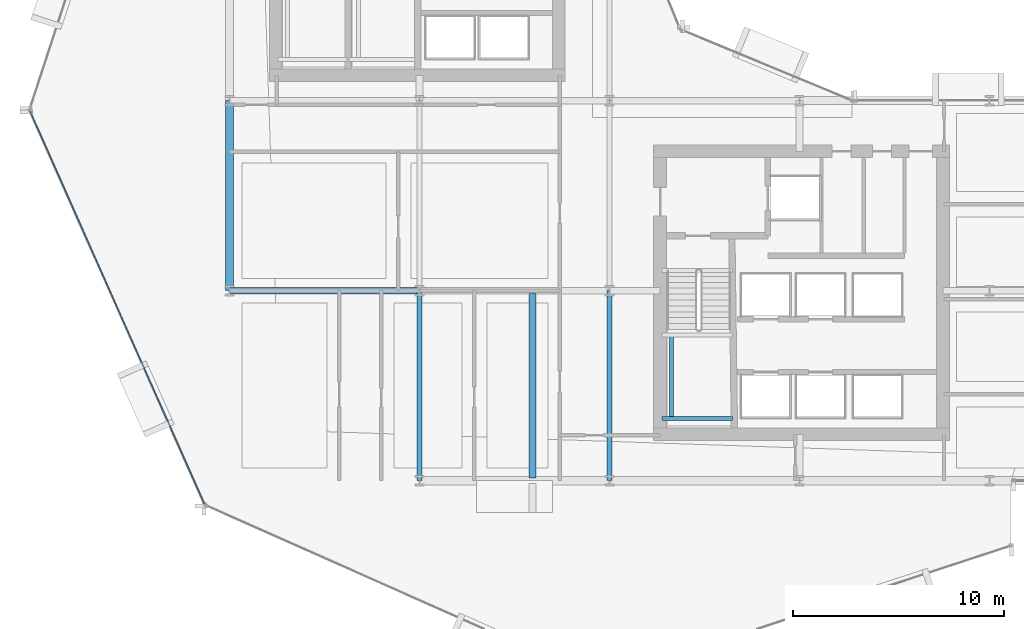
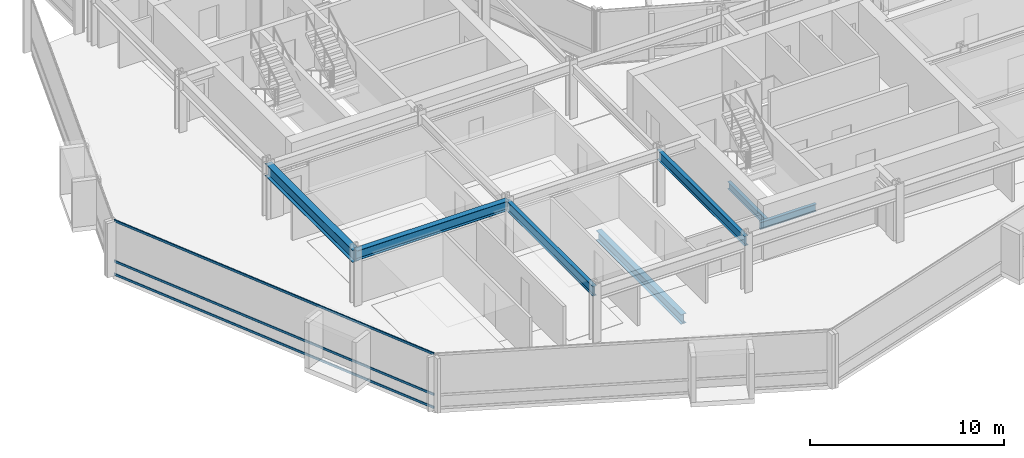
# One storey, part 5 of 34: 7 beams, 3 members, 1 element without a shape of its own.
"""IFC4 building model written with IfcOpenShell, lengths in metres."""

from ifc_helpers import new_model, si_unit, direction, frame, origin, origin_2d, place, context, subcontext, project, spatial, hollow_rectangle, i_section, extrude, material, layer, layer_set, material_profile, profile_set, type_object, element, aggregate, save


model = new_model("IFC4")

# Units and contexts
model_context = context("Model", 3, precision=1e-05, world=origin(), true_north=direction((0.0, 1.0)))
body_context = subcontext(model_context, "Body", "Model", "MODEL_VIEW")
ifc_project = project(units=[si_unit("LENGTHUNIT", "METRE"), si_unit("AREAUNIT", "SQUARE_METRE"), si_unit("VOLUMEUNIT", "CUBIC_METRE"), si_unit("PLANEANGLEUNIT", "RADIAN"), si_unit("MASSUNIT", "GRAM", prefix="KILO")], contexts=[model_context])

# Site, building, storey
site_placement = place(None, origin())
site = spatial("IfcSite", under=ifc_project, at=site_placement, CompositionType="ELEMENT")
building_placement = place(site_placement, origin())
building = spatial("IfcBuilding", under=site, at=building_placement, Name="Solvaryn Broadcast Tower", CompositionType="ELEMENT")
storey_placement = place(building_placement, frame((0.0, 0.0, 47.10009765625)))
storey = spatial("IfcBuildingStorey", under=building, at=storey_placement, Name="L10", CompositionType="ELEMENT", Elevation=47.10009765625)

# Beams
ifc_material_1 = material(Name="Steel ASTM A992 Grade 50", Category="steel")
ifc_material_profile_1 = material_profile(ifc_material_1, i_section(OverallWidth=0.323974609375, OverallDepth=0.611083984375, WebThickness=0.0126953125, FlangeThickness=0.01904296875, FilletRadius=0.014892578125, at=origin_2d()))
ifc_profile_set_1 = profile_set([ifc_material_profile_1], Name="Steel ASTM A992 Grade 50")
beam_type_1 = type_object("IfcBeamType", Name="BM-B1-W24X104", PredefinedType="BEAM", material=ifc_profile_set_1)
beam_1_placement = place(storey_placement, frame((23.35009765625, 17.875, -0.585693359375), z_axis=(0.0, -1.0, 0.0), x_axis=(1.0, 0.0, 0.0)))
element("IfcBeam", 1, at=beam_1_placement, inside=storey, type_object=beam_type_1, Name="L10 Bay-Box Back-Span Beam 1", PredefinedType="BEAM", context=body_context, shape_type="SweptSolid", body=[
    extrude(i_section(OverallWidth=0.323974609375, OverallDepth=0.611083984375, WebThickness=0.0126953125, FlangeThickness=0.01904296875, FilletRadius=0.014892578125, at=origin_2d()), origin(), (0.0, 0.0, 1.0), 8.75),
])
beam_2_placement = place(storey_placement, frame((9.0, 18.0, 3.114501953125), z_axis=(1.0, 0.0, 0.0), x_axis=(0.0, 1.0, 0.0)))
element("IfcBeam", 2, at=beam_2_placement, inside=storey, type_object=beam_type_1, Name="L10 Primary Beam X (9-18 @ Y=18)", PredefinedType="BEAM", context=body_context, shape_type="SweptSolid", body=[
    extrude(i_section(OverallWidth=0.323974609375, OverallDepth=0.611083984375, WebThickness=0.0126953125, FlangeThickness=0.01904296875, FilletRadius=0.014892578125, at=origin_2d()), origin(), (0.0, 0.0, 1.0), 9.0),
])
ifc_material_2 = material(Name="Steel ASTM A992 Grade 50", Category="steel")
ifc_material_profile_2 = material_profile(ifc_material_2, i_section(OverallWidth=0.22802734375, OverallDepth=0.60791015625, WebThickness=0.01123046875, FlangeThickness=0.017333984375, FilletRadius=0.014892578125, at=origin_2d()))
ifc_profile_set_2 = profile_set([ifc_material_profile_2], Name="Steel ASTM A992 Grade 50")
beam_type_2 = type_object("IfcBeamType", Name="BM-B2-W24X76", PredefinedType="BEAM", material=ifc_profile_set_2)
for number, where, z_axis, x_axis, name in (
    (3, (18.0, 9.0, 3.115966796875), (0.0, 1.0, 0.0), (-1.0, 0.0, 0.0), "L10 Primary Beam Y (9-18 @ X=18)"),
    (4, (27.0, 9.0, 3.115966796875), (0.0, 1.0, 0.0), (-1.0, 0.0, 0.0), "L10 Primary Beam Y (9-18 @ X=27)"),
):
    element("IfcBeam", number, at=place(storey_placement, frame(where, z_axis=z_axis, x_axis=x_axis)), inside=storey, type_object=beam_type_2, Name=name, PredefinedType="BEAM", context=body_context, shape_type="SweptSolid", body=[
        extrude(i_section(OverallWidth=0.22802734375, OverallDepth=0.60791015625, WebThickness=0.01123046875, FlangeThickness=0.017333984375, FilletRadius=0.014892578125, at=origin_2d()), origin(), (0.0, 0.0, 1.0), 9.0),
    ])
ifc_material_3 = material(Name="Steel ASTM A992 Grade 50", Category="steel")
ifc_material_profile_3 = material_profile(ifc_material_3, i_section(OverallWidth=0.18994140625, OverallDepth=0.45703125, WebThickness=0.009033203125, FlangeThickness=0.014404296875, FilletRadius=0.011962890625, at=origin_2d()))
ifc_profile_set_3 = profile_set([ifc_material_profile_3], Name="Steel ASTM A992 Grade 50")
beam_type_3 = type_object("IfcBeamType", Name="BM-B4-W18X50", PredefinedType="BEAM", material=ifc_profile_set_3)
beam_3_placement = place(storey_placement, frame((29.5, 11.949951171875, 1.42138671875), z_axis=(1.0, 0.0, 0.0), x_axis=(0.0, 1.0, 0.0)))
element("IfcBeam", 5, at=beam_3_placement, inside=storey, type_object=beam_type_3, Name="L10 ST3 Landing Support Beam 1A", PredefinedType="BEAM", context=body_context, shape_type="SweptSolid", body=[
    extrude(i_section(OverallWidth=0.18994140625, OverallDepth=0.45703125, WebThickness=0.009033203125, FlangeThickness=0.014404296875, FilletRadius=0.011962890625, at=origin_2d()), origin(), (0.0, 0.0, 1.0), 3.320068359375),
])
beam_4_placement = place(storey_placement, frame((29.949951171875, 11.949951171875, 1.42138671875), z_axis=(0.0, 1.0, 0.0), x_axis=(-1.0, 0.0, 0.0)))
element("IfcBeam", 6, at=beam_4_placement, inside=storey, type_object=beam_type_3, Name="L10 ST3 Landing Cross Stringer 1C", PredefinedType="BEAM", context=body_context, shape_type="SweptSolid", body=[
    extrude(i_section(OverallWidth=0.18994140625, OverallDepth=0.45703125, WebThickness=0.009033203125, FlangeThickness=0.014404296875, FilletRadius=0.011962890625, at=origin_2d()), origin(), (0.0, 0.0, 1.0), 3.9599609375),
])
ifc_material_4 = material(Name="Steel ASTM A992 Grade 50", Category="steel")
ifc_material_profile_4 = material_profile(ifc_material_4, i_section(OverallWidth=0.381103515625, OverallDepth=0.77294921875, WebThickness=0.0166015625, FlangeThickness=0.027099609375, FilletRadius=0.01806640625, at=origin_2d()))
ifc_profile_set_4 = profile_set([ifc_material_profile_4], Name="Steel ASTM A992 Grade 50")
beam_type_4 = type_object("IfcBeamType", Name="BM-SP1-W30X173", PredefinedType="USERDEFINED", material=ifc_profile_set_4)
beam_5_placement = place(storey_placement, frame((9.0, 18.0, 3.033447265625), z_axis=(0.0, 1.0, 0.0), x_axis=(-1.0, 0.0, 0.0)))
element("IfcBeam", 7, at=beam_5_placement, inside=storey, type_object=beam_type_4, Name="L10 Spandrel Beam Y (18-27 @ X=9)", ObjectType="SPANDREL", PredefinedType="USERDEFINED", context=body_context, shape_type="SweptSolid", body=[
    extrude(i_section(OverallWidth=0.381103515625, OverallDepth=0.77294921875, WebThickness=0.0166015625, FlangeThickness=0.027099609375, FilletRadius=0.01806640625, at=origin_2d()), origin(), (0.0, 0.0, 1.0), 9.0),
])

# Curtain wall, members
ifc_material_5 = material(Name="Aluminium and Terracotta Unitised Curtain Wall", Category="masonry")
ifc_layer = layer(ifc_material_5, 0.239990234375)
ifc_layer_set = layer_set([ifc_layer], Name="CW-SYS3-BAYBOX")
curtain_wall_type = type_object("IfcCurtainWallType", Name="CW-SYS3-BAYBOX", PredefinedType="NOTDEFINED", material=ifc_layer_set)
curtain_wall_placement = place(storey_placement, origin())
curtain_wall = element("IfcCurtainWall", 8, at=curtain_wall_placement, inside=storey, type_object=curtain_wall_type, Name="L10 Curtain Wall DR2", PredefinedType="NOTDEFINED")
ifc_material_6 = material(Name="Anodised Aluminium 6063-T6", Category="aluminium")
ifc_material_profile_5 = material_profile(ifc_material_6, hollow_rectangle(XDim=0.06494140625, YDim=0.14990234375, WallThickness=0.00390625, InnerFilletRadius=0.00390625, OuterFilletRadius=0.008056640625, at=origin_2d()))
ifc_profile_set_5 = profile_set([ifc_material_profile_5], Name="Anodised Aluminium 6063-T6")
member_type = type_object("IfcMemberType", Name="CW-TRN-150", PredefinedType="USERDEFINED", material=ifc_profile_set_5)
member_1_placement = place(storey_placement, frame((-0.439697265625, 26.505126953125, 0.02978515625), z_axis=(0.405905872269, -0.913914888191, 0.0), x_axis=(0.913914888191, 0.405905872269, 0.0)))
member_1 = element("IfcMember", 9, at=member_1_placement, type_object=member_type, Name="CWS3 transom 1.1", ObjectType="TRANSOM", PredefinedType="USERDEFINED", context=body_context, shape_type="SweptSolid", body=[
    extrude(hollow_rectangle(XDim=0.06494140625, YDim=0.14990234375, WallThickness=0.00390625, InnerFilletRadius=0.00390625, OuterFilletRadius=0.008056640625, at=origin_2d()), origin(), (0.0, 0.0, 1.0), 20.35546875),
])
member_2_placement = place(storey_placement, frame((-0.439697265625, 26.505126953125, 0.849853515625), z_axis=(0.405905872269, -0.913914888191, 0.0), x_axis=(0.913914888191, 0.405905872269, 0.0)))
member_2 = element("IfcMember", 10, at=member_2_placement, type_object=member_type, Name="CWS3 transom 1.2", ObjectType="TRANSOM", PredefinedType="USERDEFINED", context=body_context, shape_type="SweptSolid", body=[
    extrude(hollow_rectangle(XDim=0.06494140625, YDim=0.14990234375, WallThickness=0.00390625, InnerFilletRadius=0.00390625, OuterFilletRadius=0.008056640625, at=origin_2d()), origin(), (0.0, 0.0, 1.0), 20.35546875),
])
member_3_placement = place(storey_placement, frame((-0.439697265625, 26.505126953125, 3.389892578125), z_axis=(0.405905872269, -0.913914888191, 0.0), x_axis=(0.913914888191, 0.405905872269, 0.0)))
member_3 = element("IfcMember", 11, at=member_3_placement, type_object=member_type, Name="CWS3 transom 1.3", ObjectType="TRANSOM", PredefinedType="USERDEFINED", context=body_context, shape_type="SweptSolid", body=[
    extrude(hollow_rectangle(XDim=0.06494140625, YDim=0.14990234375, WallThickness=0.00390625, InnerFilletRadius=0.00390625, OuterFilletRadius=0.008056640625, at=origin_2d()), origin(), (0.0, 0.0, 1.0), 20.35546875),
])
aggregate(curtain_wall, [member_1, member_2, member_3])

save(model, "model.ifc")
